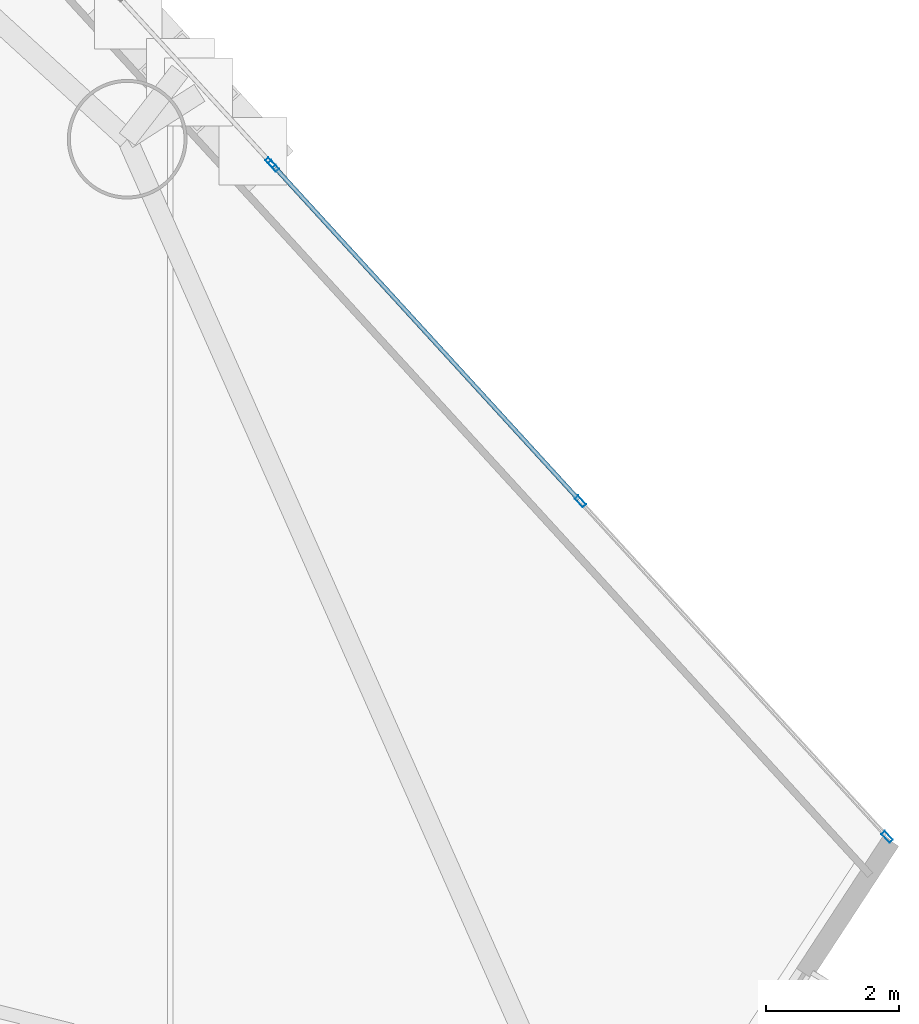
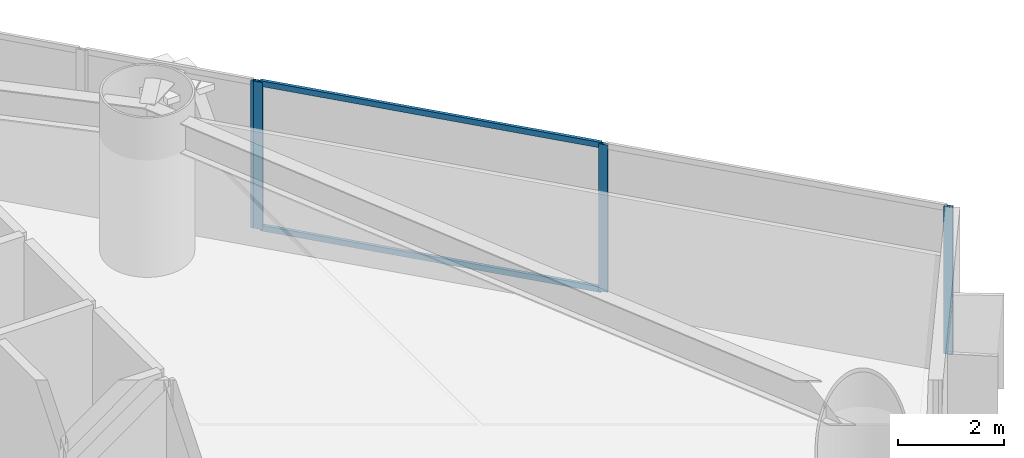
# One storey, part 14 of 22: 6 members, 2 elements without a shape of their own.
"""IFC4 building model written with IfcOpenShell, lengths in metres."""

from ifc_helpers import new_model, si_unit, direction, frame, origin, origin_2d, place, context, subcontext, project, spatial, hollow_rectangle, extrude, material, layer, layer_set, material_profile, profile_set, type_object, element, aggregate, save


model = new_model("IFC4")

# Units and contexts
model_context = context("Model", 3, precision=1e-05, world=origin(), true_north=direction((0.0, 1.0)))
body_context = subcontext(model_context, "Body", "Model", "MODEL_VIEW")
ifc_project = project(units=[si_unit("LENGTHUNIT", "METRE"), si_unit("AREAUNIT", "SQUARE_METRE"), si_unit("VOLUMEUNIT", "CUBIC_METRE"), si_unit("PLANEANGLEUNIT", "RADIAN"), si_unit("MASSUNIT", "GRAM", prefix="KILO")], contexts=[model_context])

# Site, building, storey
site_placement = place(None, origin())
site = spatial("IfcSite", under=ifc_project, at=site_placement, CompositionType="ELEMENT")
building_placement = place(site_placement, origin())
building = spatial("IfcBuilding", under=site, at=building_placement, Name="Qianvela Tower", CompositionType="ELEMENT")
storey_placement = place(building_placement, frame((0.0, 0.0, 44.199951171875)))
storey = spatial("IfcBuildingStorey", under=building, at=storey_placement, Name="L10", CompositionType="ELEMENT", Elevation=44.199951171875)

# Curtain wall, member
ifc_material_1 = material(Name="Anodised Architectural Aluminium and Insulated Spandrel Panel", Category="aluminium")
ifc_layer_1 = layer(ifc_material_1, 0.179931640625)
ifc_layer_set_1 = layer_set([ifc_layer_1], Name="Anodised Architectural Aluminium and Insulated Spandrel Panel")
curtain_wall_type_1 = type_object("IfcCurtainWallType", Name="CW-BRACEBAY", PredefinedType="USERDEFINED", material=ifc_layer_set_1)
curtain_wall_1_placement = place(storey_placement, origin())
curtain_wall_1 = element("IfcCurtainWall", 1, at=curtain_wall_1_placement, inside=storey, type_object=curtain_wall_type_1, Name="L10 CW-BRACEBAY Curtain Wall 02B", ObjectType="CURTAIN_WALL_SYSTEM", PredefinedType="USERDEFINED")
ifc_material_2 = material(Name="Anodised Architectural Aluminium 6063-T6", Category="aluminium")
ifc_material_profile_1 = material_profile(ifc_material_2, hollow_rectangle(XDim=0.06494140625, YDim=0.159912109375, WallThickness=0.0048828125, at=origin_2d()), Name="ALU-MULL-65x160")
ifc_profile_set_1 = profile_set([ifc_material_profile_1], Name="Anodised Architectural Aluminium 6063-T6")
member_type_1 = type_object("IfcMemberType", Name="CW-BRACEBAY-MULL", PredefinedType="MULLION", material=ifc_profile_set_1)
member_1_placement = place(storey_placement, frame((49.890869140625, 32.286376953125, 0.0), z_axis=(0.0, 0.0, 1.0), x_axis=(-0.737898470457, -0.674911732968, 0.0)))
member_1 = element("IfcMember", 2, at=member_1_placement, type_object=member_type_1, Name="CW-9 mullion 1", PredefinedType="MULLION", context=body_context, shape_type="SweptSolid", body=[
    extrude(hollow_rectangle(XDim=0.06494140625, YDim=0.159912109375, WallThickness=0.0048828125, at=origin_2d()), origin(), (0.0, 0.0, 1.0), 3.400146484375),
])
aggregate(curtain_wall_1, [member_1])

# Curtain wall, members
ifc_material_3 = material(Name="Anodised Architectural Aluminium and Low-E Glass", Category="aluminium")
ifc_layer_2 = layer(ifc_material_3, 0.179931640625)
ifc_layer_set_2 = layer_set([ifc_layer_2], Name="Anodised Architectural Aluminium and Low-E Glass")
curtain_wall_type_2 = type_object("IfcCurtainWallType", Name="CW-COLIV-Z12", PredefinedType="USERDEFINED", material=ifc_layer_set_2)
curtain_wall_2_placement = place(storey_placement, origin())
curtain_wall_2 = element("IfcCurtainWall", 3, at=curtain_wall_2_placement, inside=storey, type_object=curtain_wall_type_2, Name="L10 CW-COLIV-Z12 Curtain Wall 02A", ObjectType="CURTAIN_WALL_SYSTEM", PredefinedType="USERDEFINED")
ifc_material_4 = material(Name="Anodised Architectural Aluminium 6063-T6", Category="aluminium")
ifc_material_profile_2 = material_profile(ifc_material_4, hollow_rectangle(XDim=0.070068359375, YDim=0.179931640625, WallThickness=0.0048828125, at=origin_2d()), Name="ALU-MULL-70x180")
ifc_profile_set_2 = profile_set([ifc_material_profile_2], Name="Anodised Architectural Aluminium 6063-T6")
member_type_2 = type_object("IfcMemberType", Name="CW-COLIV-Z12-MULL", PredefinedType="MULLION", material=ifc_profile_set_2)
member_2_placement = place(storey_placement, frame((59.169189453125, 22.14208984375, 0.0), z_axis=(0.0, 0.0, 1.0), x_axis=(-0.737902967509, -0.674906816191, 0.0)))
member_2 = element("IfcMember", 4, at=member_2_placement, type_object=member_type_2, Name="CW-3 mullion 1", PredefinedType="MULLION", context=body_context, shape_type="SweptSolid", body=[
    extrude(hollow_rectangle(XDim=0.070068359375, YDim=0.179931640625, WallThickness=0.0048828125, at=origin_2d()), origin(), (0.0, 0.0, 1.0), 3.400146484375),
])
member_3_placement = place(storey_placement, frame((54.552978515625, 27.189208984375, 0.0), z_axis=(0.0, 0.0, 1.0), x_axis=(-0.737902967509, -0.674906816191, 0.0)))
member_3 = element("IfcMember", 5, at=member_3_placement, type_object=member_type_2, Name="CW-3 mullion 2", PredefinedType="MULLION", context=body_context, shape_type="SweptSolid", body=[
    extrude(hollow_rectangle(XDim=0.070068359375, YDim=0.179931640625, WallThickness=0.0048828125, at=origin_2d()), origin(), (0.0, 0.0, 1.0), 3.400146484375),
])
member_4_placement = place(storey_placement, frame((49.9365234375, 32.236572265625, 0.0), z_axis=(0.0, 0.0, 1.0), x_axis=(-0.737902967509, -0.674906816191, 0.0)))
member_4 = element("IfcMember", 6, at=member_4_placement, type_object=member_type_2, Name="CW-3 mullion 3", PredefinedType="MULLION", context=body_context, shape_type="SweptSolid", body=[
    extrude(hollow_rectangle(XDim=0.070068359375, YDim=0.179931640625, WallThickness=0.0048828125, at=origin_2d()), origin(), (0.0, 0.0, 1.0), 3.400146484375),
])
ifc_material_5 = material(Name="Anodised Architectural Aluminium 6063-T6", Category="aluminium")
ifc_material_profile_3 = material_profile(ifc_material_5, hollow_rectangle(XDim=0.06494140625, YDim=0.1298828125, WallThickness=0.00439453125, at=origin_2d()), Name="ALU-TRAN-65x130")
ifc_profile_set_3 = profile_set([ifc_material_profile_3], Name="Anodised Architectural Aluminium 6063-T6")
member_type_3 = type_object("IfcMemberType", Name="CW-COLIV-Z12-TRAN", PredefinedType="USERDEFINED", material=ifc_profile_set_3)
member_5_placement = place(storey_placement, frame((54.529296875, 27.215087890625, 0.032470703125), z_axis=(-0.674904441581, 0.737905139387, 0.0), x_axis=(-0.737905139387, -0.674904441581, 0.0)))
member_5 = element("IfcMember", 7, at=member_5_placement, type_object=member_type_3, Name="CW-3 transom 2.1", ObjectType="TRANSOM", PredefinedType="USERDEFINED", context=body_context, shape_type="SweptSolid", body=[
    extrude(hollow_rectangle(XDim=0.06494140625, YDim=0.1298828125, WallThickness=0.00439453125, at=origin_2d()), origin(), (0.0, 0.0, 1.0), 6.77001953125),
])
member_6_placement = place(storey_placement, frame((54.529296875, 27.215087890625, 3.367431640625), z_axis=(-0.674904441581, 0.737905139387, 0.0), x_axis=(-0.737905139387, -0.674904441581, 0.0)))
member_6 = element("IfcMember", 8, at=member_6_placement, type_object=member_type_3, Name="CW-3 transom 2.2", ObjectType="TRANSOM", PredefinedType="USERDEFINED", context=body_context, shape_type="SweptSolid", body=[
    extrude(hollow_rectangle(XDim=0.06494140625, YDim=0.1298828125, WallThickness=0.00439453125, at=origin_2d()), origin(), (0.0, 0.0, 1.0), 6.77001953125),
])
aggregate(curtain_wall_2, [member_2, member_3, member_4, member_5, member_6])

save(model, "model.ifc")
